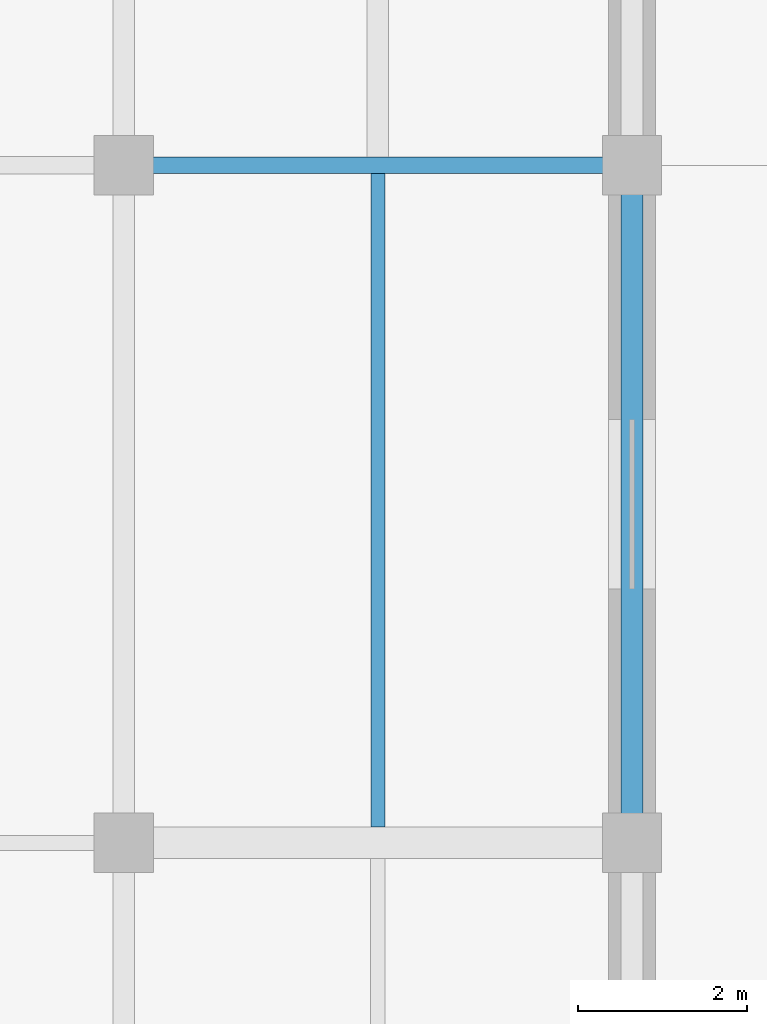
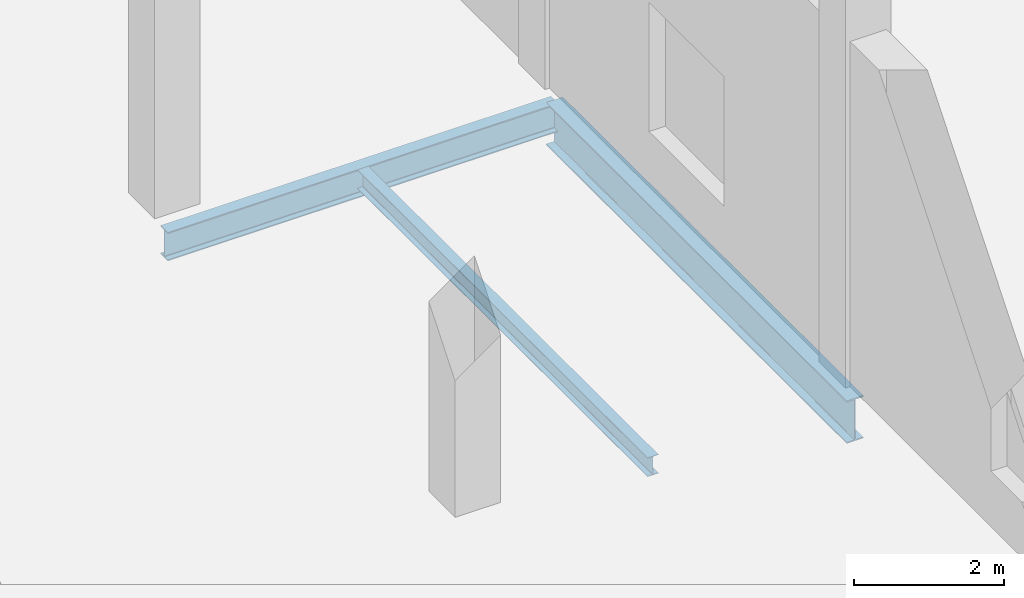
# One storey, part 57 of 140: 3 beams.
"""IFC4 building model written with IfcOpenShell, lengths in metres."""

from ifc_helpers import new_model, si_unit, direction, frame, origin, origin_2d, place, context, subcontext, project, spatial, i_section, extrude, material, material_profile, profile_set, type_object, element, save


model = new_model("IFC4")

# Units and contexts
model_context = context("Model", 3, precision=1e-05, world=origin(), true_north=direction((0.0, 1.0)))
body_context = subcontext(model_context, "Body", "Model", "MODEL_VIEW")
ifc_project = project(units=[si_unit("LENGTHUNIT", "METRE"), si_unit("AREAUNIT", "SQUARE_METRE"), si_unit("VOLUMEUNIT", "CUBIC_METRE"), si_unit("PLANEANGLEUNIT", "RADIAN"), si_unit("MASSUNIT", "GRAM", prefix="KILO")], contexts=[model_context])

# Site, building, storey
site_placement = place(None, origin())
site = spatial("IfcSite", under=ifc_project, at=site_placement, CompositionType="ELEMENT")
building_placement = place(site_placement, origin())
building = spatial("IfcBuilding", under=site, at=building_placement, Name="Verrall Gate Interchange", CompositionType="ELEMENT")
storey_placement = place(building_placement, origin())
storey = spatial("IfcBuildingStorey", under=building, at=storey_placement, Name="L01", CompositionType="ELEMENT", Elevation=0.0)

# Beams
ifc_material_1 = material(Name="Structural Steel CSA G40.21 350WT Cat 4", Category="steel")
ifc_material_profile_1 = material_profile(ifc_material_1, i_section(OverallWidth=0.256103515625, OverallDepth=0.693115234375, WebThickness=0.01318359375, FlangeThickness=0.02001953125, FilletRadius=0.01611328125, at=origin_2d()), Name="W690x170")
ifc_profile_set_1 = profile_set([ifc_material_profile_1], Name="Structural Steel CSA G40.21 350WT Cat 4")
beam_type_1 = type_object("IfcBeamType", Name="B-07 Structural Beam W690x170", PredefinedType="BEAM", material=ifc_profile_set_1)
beam_1_placement = place(storey_placement, frame((36.0, 66.0, -0.846435546875), z_axis=(0.0, 1.0, 0.0), x_axis=(-1.0, 0.0, 0.0)))
element("IfcBeam", 1, at=beam_1_placement, inside=storey, type_object=beam_type_1, Name="L01 Girder BM-L01-1083 (B-07)", PredefinedType="BEAM", context=body_context, shape_type="SweptSolid", body=[
    extrude(i_section(OverallWidth=0.256103515625, OverallDepth=0.693115234375, WebThickness=0.01318359375, FlangeThickness=0.02001953125, FilletRadius=0.01611328125, at=origin_2d()), origin(), (0.0, 0.0, 1.0), 8.0),
])
ifc_material_2 = material(Name="Structural Steel CSA G40.21 350W", Category="steel")
ifc_material_profile_2 = material_profile(ifc_material_2, i_section(OverallWidth=0.19189453125, OverallDepth=0.462890625, WebThickness=0.010498046875, FlangeThickness=0.017578125, FilletRadius=0.012939453125, at=origin_2d()), Name="W460x89")
ifc_profile_set_2 = profile_set([ifc_material_profile_2], Name="Structural Steel CSA G40.21 350W")
beam_type_2 = type_object("IfcBeamType", Name="B-11 Structural Beam W460x89", PredefinedType="BEAM", material=ifc_profile_set_2)
beam_2_placement = place(storey_placement, frame((30.0, 74.0, -0.7314453125), z_axis=(1.0, 0.0, 0.0), x_axis=(0.0, 1.0, 0.0)))
element("IfcBeam", 2, at=beam_2_placement, inside=storey, type_object=beam_type_2, Name="L01 Girder BM-L01-0967 (B-11)", PredefinedType="BEAM", context=body_context, shape_type="SweptSolid", body=[
    extrude(i_section(OverallWidth=0.19189453125, OverallDepth=0.462890625, WebThickness=0.010498046875, FlangeThickness=0.017578125, FilletRadius=0.012939453125, at=origin_2d()), origin(), (0.0, 0.0, 1.0), 6.0),
])
ifc_material_3 = material(Name="Structural Steel CSA G40.21 350W", Category="steel")
ifc_material_profile_3 = material_profile(ifc_material_3, i_section(OverallWidth=0.1650390625, OverallDepth=0.31005859375, WebThickness=0.005859375, FlangeThickness=0.009765625, FilletRadius=0.010009765625, at=origin_2d()), Name="W310x39")
ifc_profile_set_3 = profile_set([ifc_material_profile_3], Name="Structural Steel CSA G40.21 350W")
beam_type_3 = type_object("IfcBeamType", Name="J-04 Floor Joist W310x39", PredefinedType="JOIST", material=ifc_profile_set_3)
beam_3_placement = place(storey_placement, frame((33.0, 66.1845703125, -0.655029296875), z_axis=(0.0, 1.0, 0.0), x_axis=(-1.0, 0.0, 0.0)))
element("IfcBeam", 3, at=beam_3_placement, inside=storey, type_object=beam_type_3, Name="L01 Secondary Floor Joist JST-L01-1428", PredefinedType="JOIST", context=body_context, shape_type="SweptSolid", body=[
    extrude(i_section(OverallWidth=0.1650390625, OverallDepth=0.31005859375, WebThickness=0.005859375, FlangeThickness=0.009765625, FilletRadius=0.010009765625, at=origin_2d()), origin(), (0.0, 0.0, 1.0), 7.719482421875),
])

save(model, "model.ifc")
